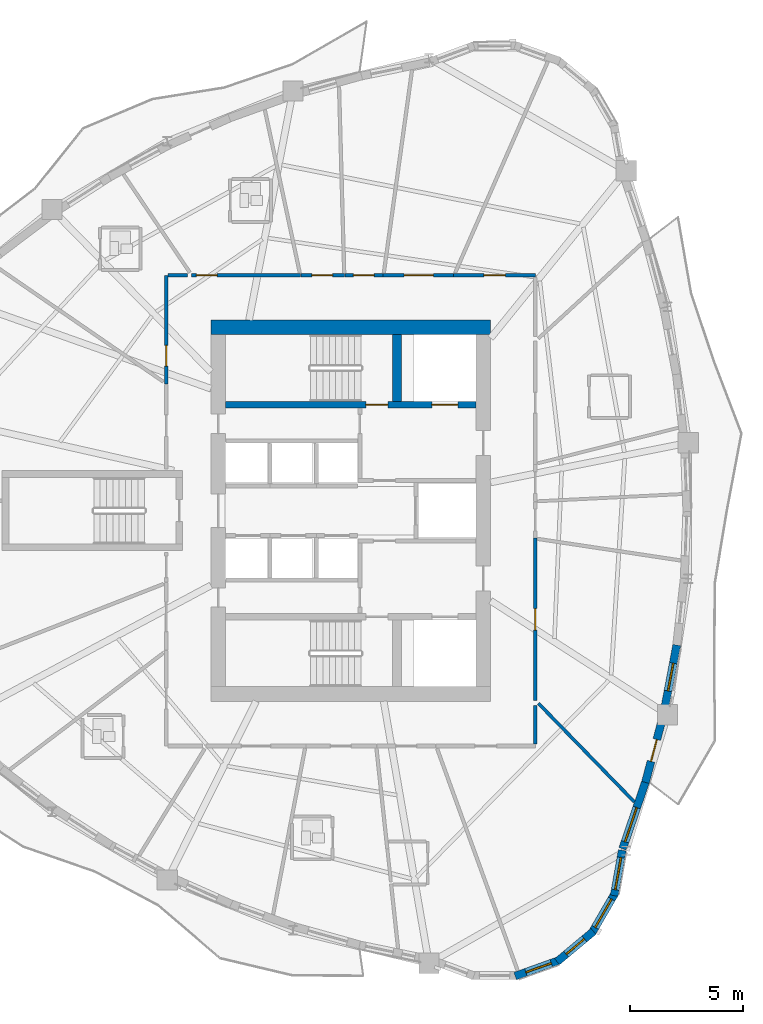
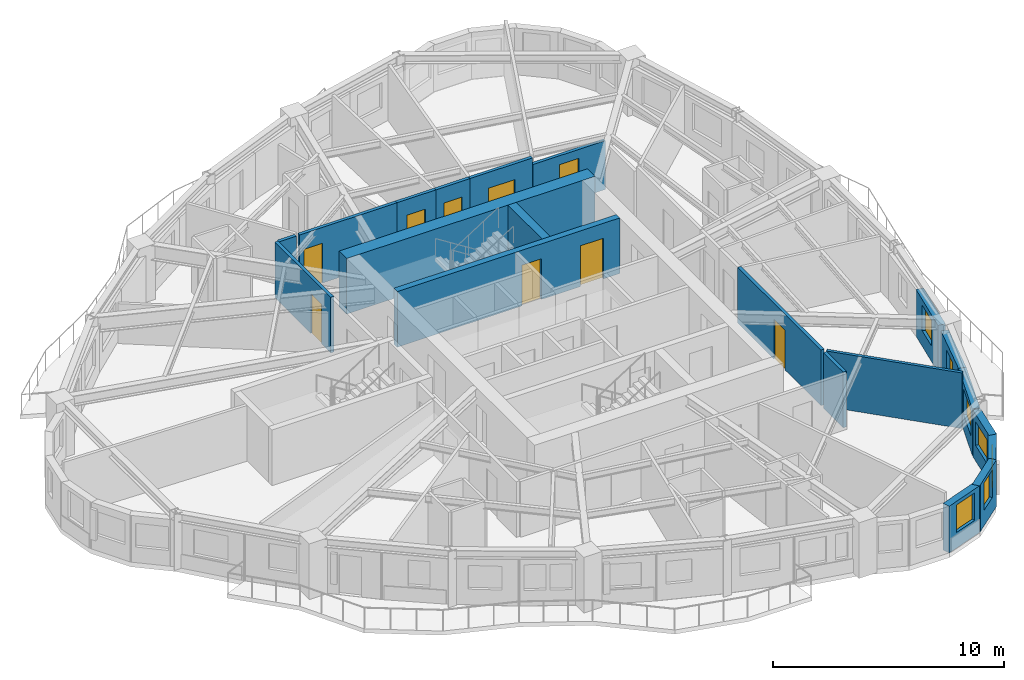
# One storey, part 6 of 12: 20 walls, 10 doors, 6 windows, 16 openings.
"""IFC4 building model written with IfcOpenShell, lengths in metres."""

from ifc_helpers import new_model, si_unit, direction, frame, frame_2d, origin, place, context, subcontext, project, spatial, rectangle, extrude, source, transform, mapped, material, layer, layer_set, type_object, element, fill, save


model = new_model("IFC4")

# Units and contexts
model_context = context("Model", 3, precision=1e-05, world=origin(), true_north=direction((0.0, 1.0)))
body_context = subcontext(model_context, "Body", "Model", "MODEL_VIEW")
ifc_project = project(units=[si_unit("LENGTHUNIT", "METRE"), si_unit("AREAUNIT", "SQUARE_METRE"), si_unit("VOLUMEUNIT", "CUBIC_METRE"), si_unit("PLANEANGLEUNIT", "RADIAN"), si_unit("MASSUNIT", "GRAM", prefix="KILO")], contexts=[model_context])

# Site, building, storey
site_placement = place(None, origin())
site = spatial("IfcSite", under=ifc_project, at=site_placement, CompositionType="ELEMENT")
building_placement = place(site_placement, origin())
building = spatial("IfcBuilding", under=site, at=building_placement, Name="Qafzar Sky-Pleat Residences", CompositionType="ELEMENT")
storey_placement = place(building_placement, frame((0.0, 0.0, 76.800048828125)))
storey = spatial("IfcBuildingStorey", under=building, at=storey_placement, Name="L22", CompositionType="ELEMENT", Elevation=76.800048828125)

# Wall, opening, door
ifc_material_1 = material(Name="Acoustic gypsum plasterboard partition", Category="gypsum")
ifc_layer_1 = layer(ifc_material_1, 0.159912109375)
ifc_layer_set_1 = layer_set([ifc_layer_1], Name="Acoustic gypsum plasterboard partition")
wall_type_1 = type_object("IfcWallType", Name="PART-COR-160", PredefinedType="PARTITIONING", material=ifc_layer_set_1)
wall_1_placement = place(storey_placement, frame((38.530029296875, 24.781005859375, 0.0), z_axis=(0.0, 0.0, 1.0), x_axis=(0.0, -1.0, 0.0)))
wall_1 = element("IfcWall", 1, at=wall_1_placement, inside=storey, type_object=wall_type_1, Name="L22 Partition Wall PART-L22-PW-001", PredefinedType="PARTITIONING", context=body_context, shape_type="SweptSolid", body=[
    extrude(rectangle(XDim=7.203125, YDim=0.159912109375, at=frame_2d((3.6015625, 0.0))), origin(), (0.0, 0.0, 1.0), 2.93505859375),
])
opening_1_placement = place(wall_1_placement, frame((3.118896484375, 0.0, 0.0)))
opening_1 = element("IfcOpeningElement", 2, at=opening_1_placement, cuts=wall_1, Name="Opening ID-06", PredefinedType="OPENING", context=body_context, shape_type="SweptSolid", body=[
    extrude(rectangle(XDim=0.9599609375, YDim=2.10009765625, at=frame_2d((0.47998046875, 1.050048828125))), frame((0.0, 0.08984375, 0.0), z_axis=(0.0, -1.0, 0.0), x_axis=(1.0, 0.0, 0.0)), (0.0, 0.0, 1.0), 0.179931640625),
])
ifc_material_2 = material(Name="Timber-faced fire door", Category="wood")
door_type_1 = type_object("IfcDoorType", Name="DR-STD-960", OperationType="NOTDEFINED", PredefinedType="DOOR", material=ifc_material_2)
shared_shape_1 = source(origin(), body_context, "Body", "SweptSolid", [
    extrude(rectangle(XDim=0.9599609375, YDim=2.10009765625, at=frame_2d((0.47998046875, 1.050048828125))), frame((0.0, 0.02490234375, 0.0), z_axis=(0.0, -1.0, 0.0), x_axis=(1.0, 0.0, 0.0)), (0.0, 0.0, 1.0), 0.050048828125),
])
door_1_placement = place(opening_1_placement, origin())
door_1 = element("IfcDoor", 3, at=door_1_placement, inside=storey, type_object=door_type_1, Name="L22 Postdoctoral Admin Office Door", OperationType="SINGLE_SWING_RIGHT", OverallHeight=2.10009765625, OverallWidth=0.9599609375, PredefinedType="DOOR", context=body_context, shape_type="MappedRepresentation", body=[
    mapped(shared_shape_1, transform((0.0, 0.0, 0.0), x_axis=(1.0, 0.0, 0.0), y_axis=(0.0, 1.0, 0.0), z_axis=(0.0, 0.0, 1.0), scale=1.0)),
])
fill(opening_1, door_1)

wall_2_placement = place(storey_placement, frame((23.283935546875, 36.429931640625, 0.0), z_axis=(0.0, 0.0, 1.0), x_axis=(1.0, 0.0, 0.0)))
wall_2 = element("IfcWall", 4, at=wall_2_placement, inside=storey, type_object=wall_type_1, Name="L22 Partition Wall PART-L22-PW-003", PredefinedType="PARTITIONING", context=body_context, shape_type="SweptSolid", body=[
    extrude(rectangle(XDim=4.844970703125, YDim=0.159912109375, at=frame_2d((2.42236328125, 0.0))), origin(), (0.0, 0.0, 1.0), 2.93505859375),
])
opening_2_placement = place(wall_2_placement, frame((0.219970703125, 0.0, 0.0)))
opening_2 = element("IfcOpeningElement", 5, at=opening_2_placement, cuts=wall_2, Name="Opening ID-04", PredefinedType="OPENING", context=body_context, shape_type="SweptSolid", body=[
    extrude(rectangle(XDim=0.919921875, YDim=2.10009765625, at=frame_2d((0.4599609375, 1.050048828125))), frame((0.0, 0.08984375, 0.0), z_axis=(0.0, -1.0, 0.0), x_axis=(1.0, 0.0, 0.0)), (0.0, 0.0, 1.0), 0.179931640625),
])
door_type_2 = type_object("IfcDoorType", Name="DR-BED-920", OperationType="NOTDEFINED", PredefinedType="DOOR", material=ifc_material_2)
shared_shape_2 = source(origin(), body_context, "Body", "SweptSolid", [
    extrude(rectangle(XDim=0.919921875, YDim=2.10009765625, at=frame_2d((0.4599609375, 1.050048828125))), frame((0.0, 0.02490234375, 0.0), z_axis=(0.0, -1.0, 0.0), x_axis=(1.0, 0.0, 0.0)), (0.0, 0.0, 1.0), 0.050048828125),
])
door_2_placement = place(opening_2_placement, origin())
door_2 = element("IfcDoor", 6, at=door_2_placement, inside=storey, type_object=door_type_2, Name="L22 Co-Living Bedroom 3 Door", OperationType="SINGLE_SWING_RIGHT", OverallHeight=2.10009765625, OverallWidth=0.919921875, PredefinedType="DOOR", context=body_context, shape_type="MappedRepresentation", body=[
    mapped(shared_shape_2, transform((0.0, 0.0, 0.0), x_axis=(1.0, 0.0, 0.0), y_axis=(0.0, 1.0, 0.0), z_axis=(0.0, 0.0, 1.0), scale=1.0)),
])
fill(opening_2, door_2)

wall_3_placement = place(storey_placement, frame((22.169921875, 31.610107421875, 0.0), z_axis=(0.0, 0.0, 1.0), x_axis=(0.0, 1.0, 0.0)))
wall_3 = element("IfcWall", 7, at=wall_3_placement, inside=storey, type_object=wall_type_1, Name="L22 Partition Wall PART-L22-PW-004", PredefinedType="PARTITIONING", context=body_context, shape_type="SweptSolid", body=[
    extrude(rectangle(XDim=4.81982421875, YDim=0.159912109375, at=frame_2d((2.409912109375, 0.0))), origin(), (0.0, 0.0, 1.0), 2.93505859375),
])
opening_3_placement = place(wall_3_placement, frame((0.796630859375, 0.0, 0.0)))
opening_3 = element("IfcOpeningElement", 8, at=opening_3_placement, cuts=wall_3, Name="Opening ID-04", PredefinedType="OPENING", context=body_context, shape_type="SweptSolid", body=[
    extrude(rectangle(XDim=0.919921875, YDim=2.10009765625, at=frame_2d((0.4599609375, 1.050048828125))), frame((0.0, 0.08984375, 0.0), z_axis=(0.0, -1.0, 0.0), x_axis=(1.0, 0.0, 0.0)), (0.0, 0.0, 1.0), 0.179931640625),
])
door_3_placement = place(opening_3_placement, origin())
door_3 = element("IfcDoor", 9, at=door_3_placement, inside=storey, type_object=door_type_2, Name="L22 Co-Living Bedroom 4 Door", OperationType="SINGLE_SWING_LEFT", OverallHeight=2.10009765625, OverallWidth=0.919921875, PredefinedType="DOOR", context=body_context, shape_type="MappedRepresentation", body=[
    mapped(shared_shape_2, transform((0.0, 0.0, 0.0), x_axis=(1.0, 0.0, 0.0), y_axis=(0.0, 1.0, 0.0), z_axis=(0.0, 0.0, 1.0), scale=1.0)),
])
fill(opening_3, door_3)

wall_4_placement = place(storey_placement, frame((34.908935546875, 36.429931640625, 0.0), z_axis=(0.0, 0.0, 1.0), x_axis=(1.0, 0.0, 0.0)))
wall_4 = element("IfcWall", 10, at=wall_4_placement, inside=storey, type_object=wall_type_1, Name="L22 Partition Wall PART-L22-PW-009", PredefinedType="PARTITIONING", context=body_context, shape_type="SweptSolid", body=[
    extrude(rectangle(XDim=3.62109375, YDim=0.159912109375, at=frame_2d((1.810546875, 0.0))), origin(), (0.0, 0.0, 1.0), 2.572998046875),
])
opening_4_placement = place(wall_4_placement, frame((1.339111328125, 0.0, 0.0)))
opening_4 = element("IfcOpeningElement", 11, at=opening_4_placement, cuts=wall_4, Name="Opening ID-06", PredefinedType="OPENING", context=body_context, shape_type="SweptSolid", body=[
    extrude(rectangle(XDim=0.9599609375, YDim=2.10009765625, at=frame_2d((0.47998046875, 1.050048828125))), frame((0.0, 0.08984375, 0.0), z_axis=(0.0, -1.0, 0.0), x_axis=(1.0, 0.0, 0.0)), (0.0, 0.0, 1.0), 0.179931640625),
])
door_4_placement = place(opening_4_placement, origin())
door_4 = element("IfcDoor", 12, at=door_4_placement, inside=storey, type_object=door_type_1, Name="L22 Reading Library Door", OperationType="SINGLE_SWING_LEFT", OverallHeight=2.10009765625, OverallWidth=0.9599609375, PredefinedType="DOOR", context=body_context, shape_type="MappedRepresentation", body=[
    mapped(shared_shape_1, transform((0.0, 0.0, 0.0), x_axis=(1.0, 0.0, 0.0), y_axis=(0.0, 1.0, 0.0), z_axis=(0.0, 0.0, 1.0), scale=1.0)),
])
fill(opening_4, door_4)

wall_5_placement = place(storey_placement, frame((31.784912109375, 36.429931640625, 0.0), z_axis=(0.0, 0.0, 1.0), x_axis=(1.0, 0.0, 0.0)))
wall_5 = element("IfcWall", 13, at=wall_5_placement, inside=storey, type_object=wall_type_1, Name="L22 Partition Wall PART-L22-PW-011", PredefinedType="PARTITIONING", context=body_context, shape_type="SweptSolid", body=[
    extrude(rectangle(XDim=3.109130859375, YDim=0.159912109375, at=frame_2d((1.5546875, 0.0))), origin(), (0.0, 0.0, 1.0), 2.93505859375),
])
opening_5_placement = place(wall_5_placement, frame((0.927978515625, 0.0, 0.0)))
opening_5 = element("IfcOpeningElement", 14, at=opening_5_placement, cuts=wall_5, Name="Opening ID-05", PredefinedType="OPENING", context=body_context, shape_type="SweptSolid", body=[
    extrude(rectangle(XDim=1.300048828125, YDim=2.10009765625, at=frame_2d((0.64990234375, 1.050048828125))), frame((0.0, 0.08984375, 0.0), z_axis=(0.0, -1.0, 0.0), x_axis=(1.0, 0.0, 0.0)), (0.0, 0.0, 1.0), 0.179931640625),
])
door_type_3 = type_object("IfcDoorType", Name="DR-LNG-1300", OperationType="DOUBLE_DOOR_SINGLE_SWING", PredefinedType="DOOR", material=ifc_material_2)
shared_shape_3 = source(origin(), body_context, "Body", "SweptSolid", [
    extrude(rectangle(XDim=1.300048828125, YDim=2.10009765625, at=frame_2d((0.64990234375, 1.050048828125))), frame((0.0, 0.02490234375, 0.0), z_axis=(0.0, -1.0, 0.0), x_axis=(1.0, 0.0, 0.0)), (0.0, 0.0, 1.0), 0.050048828125),
])
door_5_placement = place(opening_5_placement, origin())
door_5 = element("IfcDoor", 15, at=door_5_placement, inside=storey, type_object=door_type_3, Name="L22 Co-Living Lounge Door", OperationType="DOUBLE_DOOR_SINGLE_SWING", OverallHeight=2.10009765625, OverallWidth=1.300048828125, PredefinedType="DOOR", context=body_context, shape_type="MappedRepresentation", body=[
    mapped(shared_shape_3, transform((0.0, 0.0, 0.0), x_axis=(1.0, 0.0, 0.0), y_axis=(0.0, 1.0, 0.0), z_axis=(0.0, 0.0, 1.0), scale=1.0)),
])
fill(opening_5, door_5)

wall_6_placement = place(storey_placement, frame((28.14404296875, 36.429931640625, 0.0), z_axis=(0.0, 0.0, 1.0), x_axis=(1.0, 0.0, 0.0)))
wall_6 = element("IfcWall", 16, at=wall_6_placement, inside=storey, type_object=wall_type_1, Name="L22 Partition Wall PART-L22-PW-014", PredefinedType="PARTITIONING", context=body_context, shape_type="SweptSolid", body=[
    extrude(rectangle(XDim=1.931884765625, YDim=0.159912109375, at=frame_2d((0.9658203125, 0.0))), origin(), (0.0, 0.0, 1.0), 2.93505859375),
])
opening_6_placement = place(wall_6_placement, frame((0.48291015625, 0.0, 0.0)))
opening_6 = element("IfcOpeningElement", 17, at=opening_6_placement, cuts=wall_6, Name="Opening ID-04", PredefinedType="OPENING", context=body_context, shape_type="SweptSolid", body=[
    extrude(rectangle(XDim=0.919921875, YDim=2.10009765625, at=frame_2d((0.4599609375, 1.050048828125))), frame((0.0, 0.08984375, 0.0), z_axis=(0.0, -1.0, 0.0), x_axis=(1.0, 0.0, 0.0)), (0.0, 0.0, 1.0), 0.179931640625),
])
door_6_placement = place(opening_6_placement, origin())
door_6 = element("IfcDoor", 18, at=door_6_placement, inside=storey, type_object=door_type_2, Name="L22 Co-Living Bedroom 1 Door", OperationType="SINGLE_SWING_RIGHT", OverallHeight=2.10009765625, OverallWidth=0.919921875, PredefinedType="DOOR", context=body_context, shape_type="MappedRepresentation", body=[
    mapped(shared_shape_2, transform((0.0, 0.0, 0.0), x_axis=(1.0, 0.0, 0.0), y_axis=(0.0, 1.0, 0.0), z_axis=(0.0, 0.0, 1.0), scale=1.0)),
])
fill(opening_6, door_6)

wall_7_placement = place(storey_placement, frame((30.091064453125, 36.429931640625, 0.0), z_axis=(0.0, 0.0, 1.0), x_axis=(1.0, 0.0, 0.0)))
wall_7 = element("IfcWall", 19, at=wall_7_placement, inside=storey, type_object=wall_type_1, Name="L22 Partition Wall PART-L22-PW-021", PredefinedType="PARTITIONING", context=body_context, shape_type="SweptSolid", body=[
    extrude(rectangle(XDim=1.678955078125, YDim=0.159912109375, at=frame_2d((0.83935546875, 0.0))), origin(), (0.0, 0.0, 1.0), 2.93505859375),
])
opening_7_placement = place(wall_7_placement, frame((0.37939453125, 0.0, 0.0)))
opening_7 = element("IfcOpeningElement", 20, at=opening_7_placement, cuts=wall_7, Name="Opening ID-04", PredefinedType="OPENING", context=body_context, shape_type="SweptSolid", body=[
    extrude(rectangle(XDim=0.919921875, YDim=2.10009765625, at=frame_2d((0.4599609375, 1.050048828125))), frame((0.0, 0.08984375, 0.0), z_axis=(0.0, -1.0, 0.0), x_axis=(1.0, 0.0, 0.0)), (0.0, 0.0, 1.0), 0.179931640625),
])
door_7_placement = place(opening_7_placement, origin())
door_7 = element("IfcDoor", 21, at=door_7_placement, inside=storey, type_object=door_type_2, Name="L22 Co-Living Bedroom 2 Door", OperationType="SINGLE_SWING_LEFT", OverallHeight=2.10009765625, OverallWidth=0.919921875, PredefinedType="DOOR", context=body_context, shape_type="MappedRepresentation", body=[
    mapped(shared_shape_2, transform((0.0, 0.0, 0.0), x_axis=(1.0, 0.0, 0.0), y_axis=(0.0, 1.0, 0.0), z_axis=(0.0, 0.0, 1.0), scale=1.0)),
])
fill(opening_7, door_7)

# Walls
wall_8_placement = place(storey_placement, frame((38.530029296875, 15.657958984375, 0.0), z_axis=(0.0, 0.0, 1.0), x_axis=(0.0, 1.0, 0.0)))
element("IfcWall", 22, at=wall_8_placement, inside=storey, type_object=wall_type_1, Name="L22 Partition Wall PART-L22-PW-045", PredefinedType="PARTITIONING", context=body_context, shape_type="SweptSolid", body=[
    extrude(rectangle(XDim=1.7109375, YDim=0.159912109375, at=frame_2d((0.85546875, 0.0))), origin(), (0.0, 0.0, 1.0), 2.93505859375),
])
wall_9_placement = place(storey_placement, frame((22.258056640625, 36.429931640625, 0.0), z_axis=(0.0, 0.0, 1.0), x_axis=(1.0, 0.0, 0.0)))
element("IfcWall", 23, at=wall_9_placement, inside=storey, type_object=wall_type_1, Name="L22 Partition Wall PART-L22-PW-065", PredefinedType="PARTITIONING", context=body_context, shape_type="SweptSolid", body=[
    extrude(rectangle(XDim=0.861328125, YDim=0.159912109375, at=frame_2d((0.4306640625, 0.0))), origin(), (0.0, 0.0, 1.0), 2.93505859375),
])
ifc_layer_2 = layer(ifc_material_1, 0.14501953125)
ifc_layer_set_2 = layer_set([ifc_layer_2], Name="Acoustic gypsum plasterboard partition")
wall_type_2 = type_object("IfcWallType", Name="PART-UNIT-145", PredefinedType="PARTITIONING", material=ifc_layer_set_2)
wall_10_placement = place(storey_placement, frame((38.66748046875, 17.457763671875, 0.0), z_axis=(0.0, 0.0, 1.0), x_axis=(0.697626427609, -0.716461699954, 0.0)))
element("IfcWall", 24, at=wall_10_placement, inside=storey, type_object=wall_type_2, Name="L22 Partition Wall PART-L22-PW-039", PredefinedType="PARTITIONING", context=body_context, shape_type="SweptSolid", body=[
    extrude(rectangle(XDim=6.092041015625, YDim=0.14501953125, at=frame_2d((3.0458984375, 0.0))), origin(), (0.0, 0.0, 1.0), 2.93505859375),
])

# Wall, opening, window
ifc_material_3 = material(Name="Precast concrete C40/50 with honed Riyadh limestone", Category="concrete")
ifc_layer_3 = layer(ifc_material_3, 0.35009765625)
ifc_layer_set_3 = layer_set([ifc_layer_3], Name="Precast concrete C40/50 with honed Riyadh limestone")
wall_type_3 = type_object("IfcWallType", Name="WALL-EXT-350", PredefinedType="SOLIDWALL", material=ifc_layer_set_3)
wall_11_placement = place(storey_placement, frame((37.6376953125, 5.3671875, 0.0), z_axis=(0.0, 0.0, 1.0), x_axis=(0.941486401639, 0.33705096874, 0.0)))
wall_11 = element("IfcWall", 25, at=wall_11_placement, inside=storey, type_object=wall_type_3, Name="L22 Limestone Facade Wall 19", PredefinedType="SOLIDWALL", context=body_context, shape_type="SweptSolid", body=[
    extrude(rectangle(XDim=2.09912109375, YDim=0.35009765625, at=frame_2d((1.049560546875, 0.0))), origin(), (0.0, 0.0, 1.0), 2.46484375),
])
opening_8_placement = place(wall_11_placement, frame((0.502197265625, 0.0, 0.820068359375)))
opening_8 = element("IfcOpeningElement", 26, at=opening_8_placement, cuts=wall_11, Name="Opening WN-05", PredefinedType="OPENING", context=body_context, shape_type="SweptSolid", body=[
    extrude(rectangle(XDim=1.199951171875, YDim=1.449951171875, at=frame_2d((0.60009765625, 0.72509765625))), frame((0.0, 0.18505859375, 0.0), z_axis=(0.0, -1.0, 0.0), x_axis=(1.0, 0.0, 0.0)), (0.0, 0.0, 1.0), 0.3701171875),
])
ifc_material_4 = material(Name="Solar-control low-E glass in bronze aluminium frame", Category="glass")
window_type_1 = type_object("IfcWindowType", Name="WIN-05", PartitioningType="SINGLE_PANEL", PredefinedType="WINDOW", material=ifc_material_4)
shared_shape_4 = source(origin(), body_context, "Body", "SweptSolid", [
    extrude(rectangle(XDim=1.199951171875, YDim=1.449951171875, at=frame_2d((0.60009765625, 0.72509765625))), frame((0.0, 0.030029296875, 0.0), z_axis=(0.0, -1.0, 0.0), x_axis=(1.0, 0.0, 0.0)), (0.0, 0.0, 1.0), 0.06005859375),
])
window_1_placement = place(opening_8_placement, origin())
window_1 = element("IfcWindow", 27, at=window_1_placement, inside=storey, type_object=window_type_1, Name="L22 Punched Facade Window 19", OverallHeight=1.449951171875, OverallWidth=1.199951171875, PartitioningType="SINGLE_PANEL", PredefinedType="WINDOW", context=body_context, shape_type="MappedRepresentation", body=[
    mapped(shared_shape_4, transform((0.0, 0.0, 0.0), x_axis=(1.0, 0.0, 0.0), y_axis=(0.0, 1.0, 0.0), z_axis=(0.0, 0.0, 1.0), scale=1.0)),
])
fill(opening_8, window_1)

wall_12_placement = place(storey_placement, frame((39.49609375, 6.00732421875, 0.0), z_axis=(0.0, 0.0, 1.0), x_axis=(0.768450068703, 0.639909752942, 0.0)))
wall_12 = element("IfcWall", 28, at=wall_12_placement, inside=storey, type_object=wall_type_3, Name="L22 Limestone Facade Wall 20", PredefinedType="SOLIDWALL", context=body_context, shape_type="SweptSolid", body=[
    extrude(rectangle(XDim=2.098876953125, YDim=0.35009765625, at=frame_2d((1.04931640625, 0.0))), origin(), (0.0, 0.0, 1.0), 2.46484375),
])
opening_9_placement = place(wall_12_placement, frame((0.5244140625, 0.0, 0.820068359375)))
opening_9 = element("IfcOpeningElement", 29, at=opening_9_placement, cuts=wall_12, Name="Opening WN-06", PredefinedType="OPENING", context=body_context, shape_type="SweptSolid", body=[
    extrude(rectangle(XDim=1.050048828125, YDim=1.449951171875, at=frame_2d((0.52490234375, 0.72509765625))), frame((0.0, 0.18505859375, 0.0), z_axis=(0.0, -1.0, 0.0), x_axis=(1.0, 0.0, 0.0)), (0.0, 0.0, 1.0), 0.3701171875),
])
window_type_2 = type_object("IfcWindowType", Name="WIN-06", PartitioningType="SINGLE_PANEL", PredefinedType="WINDOW", material=ifc_material_4)
shared_shape_5 = source(origin(), body_context, "Body", "SweptSolid", [
    extrude(rectangle(XDim=1.050048828125, YDim=1.449951171875, at=frame_2d((0.52490234375, 0.72509765625))), frame((0.0, 0.030029296875, 0.0), z_axis=(0.0, -1.0, 0.0), x_axis=(1.0, 0.0, 0.0)), (0.0, 0.0, 1.0), 0.06005859375),
])
window_2_placement = place(opening_9_placement, origin())
window_2 = element("IfcWindow", 30, at=window_2_placement, inside=storey, type_object=window_type_2, Name="L22 Punched Facade Window 20", OverallHeight=1.449951171875, OverallWidth=1.050048828125, PartitioningType="SINGLE_PANEL", PredefinedType="WINDOW", context=body_context, shape_type="MappedRepresentation", body=[
    mapped(shared_shape_5, transform((0.0, 0.0, 0.0), x_axis=(1.0, 0.0, 0.0), y_axis=(0.0, 1.0, 0.0), z_axis=(0.0, 0.0, 1.0), scale=1.0)),
])
fill(opening_9, window_2)

wall_13_placement = place(storey_placement, frame((41.021484375, 7.24658203125, 0.0), z_axis=(0.0, 0.0, 1.0), x_axis=(0.501902596059, 0.864924149315, 0.0)))
wall_13 = element("IfcWall", 31, at=wall_13_placement, inside=storey, type_object=wall_type_3, Name="L22 Limestone Facade Wall 21", PredefinedType="SOLIDWALL", context=body_context, shape_type="SweptSolid", body=[
    extrude(rectangle(XDim=2.098876953125, YDim=0.35009765625, at=frame_2d((1.04931640625, 0.0))), origin(), (0.0, 0.0, 1.0), 2.46484375),
])
opening_10_placement = place(wall_13_placement, frame((0.324462890625, 0.0, 0.820068359375)))
opening_10 = element("IfcOpeningElement", 32, at=opening_10_placement, cuts=wall_13, Name="Opening WN-15", PredefinedType="OPENING", context=body_context, shape_type="SweptSolid", body=[
    extrude(rectangle(XDim=1.449951171875, YDim=1.25, at=frame_2d((0.72509765625, 0.625))), frame((0.0, 0.18505859375, 0.0), z_axis=(0.0, -1.0, 0.0), x_axis=(1.0, 0.0, 0.0)), (0.0, 0.0, 1.0), 0.3701171875),
])
window_type_3 = type_object("IfcWindowType", Name="WIN-15", PartitioningType="SINGLE_PANEL", PredefinedType="WINDOW", material=ifc_material_4)
shared_shape_6 = source(origin(), body_context, "Body", "SweptSolid", [
    extrude(rectangle(XDim=1.449951171875, YDim=1.25, at=frame_2d((0.72509765625, 0.625))), frame((0.0, 0.030029296875, 0.0), z_axis=(0.0, -1.0, 0.0), x_axis=(1.0, 0.0, 0.0)), (0.0, 0.0, 1.0), 0.06005859375),
])
window_3_placement = place(opening_10_placement, origin())
window_3 = element("IfcWindow", 33, at=window_3_placement, inside=storey, type_object=window_type_3, Name="L22 Punched Facade Window 21", OverallHeight=1.25, OverallWidth=1.449951171875, PartitioningType="SINGLE_PANEL", PredefinedType="WINDOW", context=body_context, shape_type="MappedRepresentation", body=[
    mapped(shared_shape_6, transform((0.0, 0.0, 0.0), x_axis=(1.0, 0.0, 0.0), y_axis=(0.0, 1.0, 0.0), z_axis=(0.0, 0.0, 1.0), scale=1.0)),
])
fill(opening_10, window_3)

wall_14_placement = place(storey_placement, frame((42.0283203125, 8.934326171875, 0.0), z_axis=(0.0, 0.0, 1.0), x_axis=(0.174399433509, 0.984674990843, 0.0)))
wall_14 = element("IfcWall", 34, at=wall_14_placement, inside=storey, type_object=wall_type_3, Name="L22 Limestone Facade Wall 22", PredefinedType="SOLIDWALL", context=body_context, shape_type="SweptSolid", body=[
    extrude(rectangle(XDim=2.041015625, YDim=0.35009765625, at=frame_2d((1.0205078125, 0.0))), origin(), (0.0, 0.0, 1.0), 2.46484375),
])
opening_11_placement = place(wall_14_placement, frame((0.265380859375, 0.0, 0.820068359375)))
opening_11 = element("IfcOpeningElement", 35, at=opening_11_placement, cuts=wall_14, Name="Opening WN-15", PredefinedType="OPENING", context=body_context, shape_type="SweptSolid", body=[
    extrude(rectangle(XDim=1.449951171875, YDim=1.25, at=frame_2d((0.72509765625, 0.625))), frame((0.0, 0.18505859375, 0.0), z_axis=(0.0, -1.0, 0.0), x_axis=(1.0, 0.0, 0.0)), (0.0, 0.0, 1.0), 0.3701171875),
])
window_4_placement = place(opening_11_placement, origin())
window_4 = element("IfcWindow", 36, at=window_4_placement, inside=storey, type_object=window_type_3, Name="L22 Punched Facade Window 22", OverallHeight=1.25, OverallWidth=1.449951171875, PartitioningType="SINGLE_PANEL", PredefinedType="WINDOW", context=body_context, shape_type="MappedRepresentation", body=[
    mapped(shared_shape_6, transform((0.0, 0.0, 0.0), x_axis=(1.0, 0.0, 0.0), y_axis=(0.0, 1.0, 0.0), z_axis=(0.0, 0.0, 1.0), scale=1.0)),
])
fill(opening_11, window_4)

wall_15_placement = place(storey_placement, frame((42.40087890625, 11.0087890625, 0.0), z_axis=(0.0, 0.0, 1.0), x_axis=(0.323605065536, 0.946192243447, 0.0)))
wall_15 = element("IfcWall", 37, at=wall_15_placement, inside=storey, type_object=wall_type_3, Name="L22 Limestone Facade Wall 23", PredefinedType="SOLIDWALL", context=body_context, shape_type="SweptSolid", body=[
    extrude(rectangle(XDim=3.20263671875, YDim=0.35009765625, at=frame_2d((1.601318359375, 0.0))), origin(), (0.0, 0.0, 1.0), 2.46484375),
])
opening_12_placement = place(wall_15_placement, frame((0.334228515625, 0.0, 0.820068359375)))
opening_12 = element("IfcOpeningElement", 38, at=opening_12_placement, cuts=wall_15, Name="Opening WN-09", PredefinedType="OPENING", context=body_context, shape_type="SweptSolid", body=[
    extrude(rectangle(XDim=1.60009765625, YDim=1.35009765625, at=frame_2d((0.800048828125, 0.675048828125))), frame((0.0, 0.18505859375, 0.0), z_axis=(0.0, -1.0, 0.0), x_axis=(1.0, 0.0, 0.0)), (0.0, 0.0, 1.0), 0.3701171875),
])
window_type_4 = type_object("IfcWindowType", Name="WIN-09", PartitioningType="DOUBLE_PANEL_VERTICAL", PredefinedType="WINDOW", material=ifc_material_4)
shared_shape_7 = source(origin(), body_context, "Body", "SweptSolid", [
    extrude(rectangle(XDim=1.60009765625, YDim=1.35009765625, at=frame_2d((0.800048828125, 0.675048828125))), frame((0.0, 0.030029296875, 0.0), z_axis=(0.0, -1.0, 0.0), x_axis=(1.0, 0.0, 0.0)), (0.0, 0.0, 1.0), 0.06005859375),
])
window_5_placement = place(opening_12_placement, origin())
window_5 = element("IfcWindow", 39, at=window_5_placement, inside=storey, type_object=window_type_4, Name="L22 Punched Facade Window 23", OverallHeight=1.35009765625, OverallWidth=1.60009765625, PartitioningType="SINGLE_PANEL", PredefinedType="WINDOW", context=body_context, shape_type="MappedRepresentation", body=[
    mapped(shared_shape_7, transform((0.0, 0.0, 0.0), x_axis=(1.0, 0.0, 0.0), y_axis=(0.0, 1.0, 0.0), z_axis=(0.0, 0.0, 1.0), scale=1.0)),
])
fill(opening_12, window_5)

# Wall, opening, door
wall_16_placement = place(storey_placement, frame((43.41162109375, 13.954833984375, 0.0), z_axis=(0.0, 0.0, 1.0), x_axis=(0.257050841376, 0.966397881283, 0.0)))
wall_16 = element("IfcWall", 40, at=wall_16_placement, inside=storey, type_object=wall_type_3, Name="L22 Limestone Facade Wall 24", PredefinedType="SOLIDWALL", context=body_context, shape_type="SweptSolid", body=[
    extrude(rectangle(XDim=2.930908203125, YDim=0.35009765625, at=frame_2d((1.46533203125, 0.0))), origin(), (0.0, 0.0, 1.0), 2.46484375),
])
opening_13_placement = place(wall_16_placement, frame((0.965576171875, 0.0, 0.0)))
opening_13 = element("IfcOpeningElement", 41, at=opening_13_placement, cuts=wall_16, Name="Opening ED-05", PredefinedType="OPENING", context=body_context, shape_type="SweptSolid", body=[
    extrude(rectangle(XDim=1.0, YDim=2.10009765625, at=frame_2d((0.5, 1.050048828125))), frame((0.0, 0.18505859375, 0.0), z_axis=(0.0, -1.0, 0.0), x_axis=(1.0, 0.0, 0.0)), (0.0, 0.0, 1.0), 0.3701171875),
])
ifc_material_5 = material(Name="Glazed bronze aluminium door", Category="aluminium")
door_type_4 = type_object("IfcDoorType", Name="DR-BAL-1000", OperationType="NOTDEFINED", PredefinedType="DOOR", material=ifc_material_5)
shared_shape_8 = source(origin(), body_context, "Body", "SweptSolid", [
    extrude(rectangle(XDim=1.0, YDim=2.10009765625, at=frame_2d((0.5, 1.050048828125))), frame((0.0, 0.02490234375, 0.0), z_axis=(0.0, -1.0, 0.0), x_axis=(1.0, 0.0, 0.0)), (0.0, 0.0, 1.0), 0.050048828125),
])
door_8_placement = place(opening_13_placement, origin())
door_8 = element("IfcDoor", 42, at=door_8_placement, inside=storey, type_object=door_type_4, Name="L22 Glazed Balcony Door 1", OperationType="SINGLE_SWING_LEFT", OverallHeight=2.10009765625, OverallWidth=1.0, PredefinedType="DOOR", context=body_context, shape_type="MappedRepresentation", body=[
    mapped(shared_shape_8, transform((0.0, 0.0, 0.0), x_axis=(1.0, 0.0, 0.0), y_axis=(0.0, 1.0, 0.0), z_axis=(0.0, 0.0, 1.0), scale=1.0)),
])
fill(opening_13, door_8)

# Wall, opening, window
wall_17_placement = place(storey_placement, frame((44.26220703125, 17.213623046875, 0.0), z_axis=(0.0, 0.0, 1.0), x_axis=(0.18665246466, 0.982426006087, 0.0)))
wall_17 = element("IfcWall", 43, at=wall_17_placement, inside=storey, type_object=wall_type_3, Name="L22 Limestone Facade Wall 25", PredefinedType="SOLIDWALL", context=body_context, shape_type="SweptSolid", body=[
    extrude(rectangle(XDim=2.880126953125, YDim=0.35009765625, at=frame_2d((1.43994140625, 0.0))), origin(), (0.0, 0.0, 1.0), 2.46484375),
])
opening_14_placement = place(wall_17_placement, frame((0.810302734375, 0.0, 0.820068359375)))
opening_14 = element("IfcOpeningElement", 44, at=opening_14_placement, cuts=wall_17, Name="Opening WN-11", PredefinedType="OPENING", context=body_context, shape_type="SweptSolid", body=[
    extrude(rectangle(XDim=1.25, YDim=1.35009765625, at=frame_2d((0.625, 0.675048828125))), frame((0.0, 0.18505859375, 0.0), z_axis=(0.0, -1.0, 0.0), x_axis=(1.0, 0.0, 0.0)), (0.0, 0.0, 1.0), 0.3701171875),
])
window_type_5 = type_object("IfcWindowType", Name="WIN-11", PartitioningType="SINGLE_PANEL", PredefinedType="WINDOW", material=ifc_material_4)
shared_shape_9 = source(origin(), body_context, "Body", "SweptSolid", [
    extrude(rectangle(XDim=1.25, YDim=1.35009765625, at=frame_2d((0.625, 0.675048828125))), frame((0.0, 0.030029296875, 0.0), z_axis=(0.0, -1.0, 0.0), x_axis=(1.0, 0.0, 0.0)), (0.0, 0.0, 1.0), 0.06005859375),
])
window_6_placement = place(opening_14_placement, origin())
window_6 = element("IfcWindow", 45, at=window_6_placement, inside=storey, type_object=window_type_5, Name="L22 Punched Facade Window 25", OverallHeight=1.35009765625, OverallWidth=1.25, PartitioningType="SINGLE_PANEL", PredefinedType="WINDOW", context=body_context, shape_type="MappedRepresentation", body=[
    mapped(shared_shape_9, transform((0.0, 0.0, 0.0), x_axis=(1.0, 0.0, 0.0), y_axis=(0.0, 1.0, 0.0), z_axis=(0.0, 0.0, 1.0), scale=1.0)),
])
fill(opening_14, window_6)

# Wall, openings, doors
ifc_material_6 = material(Name="Concrete C60/75", Category="concrete")
ifc_layer_4 = layer(ifc_material_6, 0.300048828125)
ifc_layer_set_4 = layer_set([ifc_layer_4], Name="Concrete C60/75")
wall_type_4 = type_object("IfcWallType", Name="WALL-SHEAR-300", PredefinedType="SHEAR", material=ifc_layer_set_4)
wall_18_placement = place(storey_placement, frame((24.800048828125, 30.699951171875, 0.0), z_axis=(0.0, 0.0, 1.0), x_axis=(1.0, 0.0, 0.0)))
wall_18 = element("IfcWall", 46, at=wall_18_placement, inside=storey, type_object=wall_type_4, Name="L22 Stair ST2 and FF2 Shaft South Wall", PredefinedType="SHEAR", context=body_context, shape_type="SweptSolid", body=[
    extrude(rectangle(XDim=11.099853515625, YDim=0.300048828125, at=frame_2d((5.5498046875, 0.0))), origin(), (0.0, 0.0, 1.0), 2.93505859375),
])
opening_15_placement = place(wall_18_placement, frame((6.219970703125, 0.0, 0.0)))
opening_15 = element("IfcOpeningElement", 47, at=opening_15_placement, cuts=wall_18, Name="Opening ID-01", PredefinedType="OPENING", context=body_context, shape_type="SweptSolid", body=[
    extrude(rectangle(XDim=0.97998046875, YDim=2.14990234375, at=frame_2d((0.489990234375, 1.074951171875))), frame((0.0, 0.16015625, 0.0), z_axis=(0.0, -1.0, 0.0), x_axis=(1.0, 0.0, 0.0)), (0.0, 0.0, 1.0), 0.320068359375),
])
opening_16_placement = place(wall_18_placement, frame((9.14990234375, 0.0, 0.0)))
opening_16 = element("IfcOpeningElement", 48, at=opening_16_placement, cuts=wall_18, Name="Opening LD-02", PredefinedType="OPENING", context=body_context, shape_type="SweptSolid", body=[
    extrude(rectangle(XDim=1.14990234375, YDim=2.14990234375, at=frame_2d((0.574951171875, 1.074951171875))), frame((0.0, 0.16015625, 0.0), z_axis=(0.0, -1.0, 0.0), x_axis=(1.0, 0.0, 0.0)), (0.0, 0.0, 1.0), 0.320068359375),
])
door_type_5 = type_object("IfcDoorType", Name="DR-STAIR-980", OperationType="NOTDEFINED", PredefinedType="DOOR", material=ifc_material_2)
shared_shape_10 = source(origin(), body_context, "Body", "SweptSolid", [
    extrude(rectangle(XDim=0.97998046875, YDim=2.14990234375, at=frame_2d((0.489990234375, 1.074951171875))), frame((0.0, 0.02490234375, 0.0), z_axis=(0.0, -1.0, 0.0), x_axis=(1.0, 0.0, 0.0)), (0.0, 0.0, 1.0), 0.050048828125),
])
door_9_placement = place(opening_15_placement, origin())
door_9 = element("IfcDoor", 49, at=door_9_placement, inside=storey, type_object=door_type_5, Name="L22 Stair ST2 Fire Door", OperationType="SINGLE_SWING_RIGHT", OverallHeight=2.14990234375, OverallWidth=0.97998046875, PredefinedType="DOOR", context=body_context, shape_type="MappedRepresentation", body=[
    mapped(shared_shape_10, transform((0.0, 0.0, 0.0), x_axis=(1.0, 0.0, 0.0), y_axis=(0.0, 1.0, 0.0), z_axis=(0.0, 0.0, 1.0), scale=1.0)),
])
fill(opening_15, door_9)
ifc_material_7 = material(Name="Stainless steel sliding landing door", Category="steel")
door_type_6 = type_object("IfcDoorType", Name="DR-LIFT-FF", OperationType="DOUBLE_DOOR_SLIDING", PredefinedType="DOOR", material=ifc_material_7)
shared_shape_11 = source(origin(), body_context, "Body", "SweptSolid", [
    extrude(rectangle(XDim=1.14990234375, YDim=2.14990234375, at=frame_2d((0.574951171875, 1.074951171875))), frame((0.0, 0.02490234375, 0.0), z_axis=(0.0, -1.0, 0.0), x_axis=(1.0, 0.0, 0.0)), (0.0, 0.0, 1.0), 0.050048828125),
])
door_10_placement = place(opening_16_placement, origin())
door_10 = element("IfcDoor", 50, at=door_10_placement, inside=storey, type_object=door_type_6, Name="L22 Firefighting Lift FF2 Landing Door", OperationType="DOUBLE_DOOR_SLIDING", OverallHeight=2.14990234375, OverallWidth=1.14990234375, PredefinedType="DOOR", context=body_context, shape_type="MappedRepresentation", body=[
    mapped(shared_shape_11, transform((0.0, 0.0, 0.0), x_axis=(1.0, 0.0, 0.0), y_axis=(0.0, 1.0, 0.0), z_axis=(0.0, 0.0, 1.0), scale=1.0)),
])
fill(opening_16, door_10)

# Walls
ifc_layer_5 = layer(ifc_material_6, 0.39990234375)
ifc_layer_set_5 = layer_set([ifc_layer_5], Name="Concrete C60/75")
wall_type_5 = type_object("IfcWallType", Name="WALL-SHEAR-400", PredefinedType="SHEAR", material=ifc_layer_set_5)
wall_19_placement = place(storey_placement, frame((32.39990234375, 30.85009765625, 0.0), z_axis=(0.0, 0.0, 1.0), x_axis=(0.0, 1.0, 0.0)))
element("IfcWall", 51, at=wall_19_placement, inside=storey, type_object=wall_type_5, Name="L22 Stair ST2 East Dividing Wall", PredefinedType="SHEAR", context=body_context, shape_type="SweptSolid", body=[
    extrude(rectangle(XDim=2.949951171875, YDim=0.39990234375, at=frame_2d((1.47509765625, 0.0))), origin(), (0.0, 0.0, 1.0), 2.93505859375),
])
ifc_layer_6 = layer(ifc_material_6, 0.64990234375)
ifc_layer_set_6 = layer_set([ifc_layer_6], Name="Concrete C60/75")
wall_type_6 = type_object("IfcWallType", Name="WALL-SHEAR-650", PredefinedType="SHEAR", material=ifc_layer_set_6)
wall_20_placement = place(storey_placement, frame((36.550048828125, 34.125, 0.0), z_axis=(0.0, 0.0, 1.0), x_axis=(-1.0, 0.0, 0.0)))
element("IfcWall", 52, at=wall_20_placement, inside=storey, type_object=wall_type_6, Name="L22 CORE wall N", PredefinedType="SHEAR", context=body_context, shape_type="SweptSolid", body=[
    extrude(rectangle(XDim=12.400146484375, YDim=0.64990234375, at=frame_2d((6.2001953125, 0.0))), origin(), (0.0, 0.0, 1.0), 2.93505859375),
])

save(model, "model.ifc")
